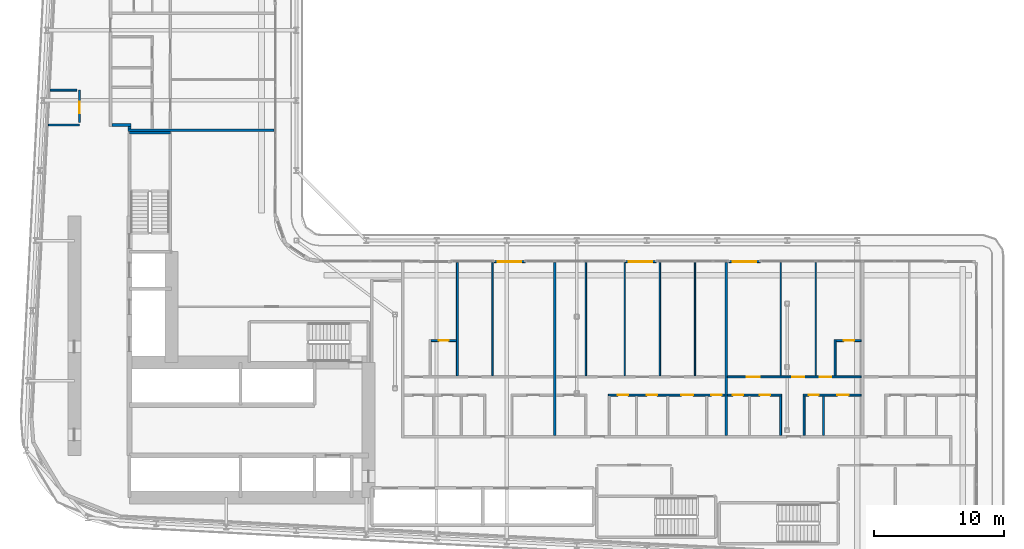
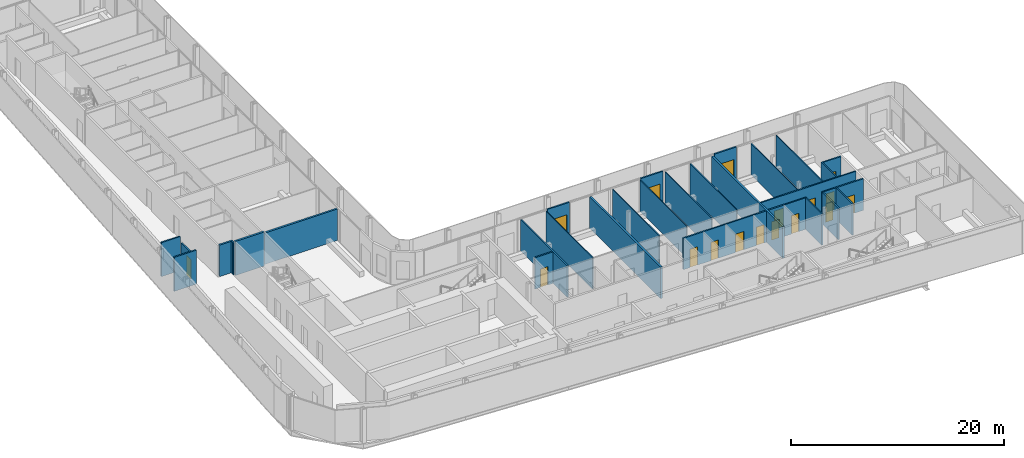
# One storey, part 16 of 28: 30 walls, 17 doors, 17 openings.
"""IFC4 building model written with IfcOpenShell, lengths in metres."""

import ifcopenshell
import ifcopenshell.guid

model = None  # the IFC model being written
_history = None  # IfcOwnerHistory: only IFC2X3 demands one
_inside = {}  # id of a spatial element -> (the spatial element, [elements in it])
_under = {}  # id of a project, library or spatial element -> (it, [spatial elements below it])
_declared = {}  # id of a project -> (the project, [libraries it declares])
_typed = {}  # id of a type object -> (the type object, [elements of that type])
_made_of = {}  # id of a material, layer set ... -> (it, [elements and type objects made of it])


def new_model(schema):
    """Start an empty IFC model of exactly this schema.

    Asked for "IFC4X3", IfcOpenShell would pick the latest addendum, in which some entities
    have other attributes; the version numbers below select the first issue.
    IFC2X3 requires an IfcOwnerHistory on every rooted entity: one is made here for all.
    """
    global model, _history
    if schema == "IFC4X3":
        model = ifcopenshell.file(schema_version=(4, 3, 0, 0))
    else:
        model = ifcopenshell.file(schema=schema)
    _inside.clear()
    _under.clear()
    _declared.clear()
    _typed.clear()
    _made_of.clear()
    _history = None
    if model.schema == "IFC2X3":
        org = make("IfcOrganization", Name="unknown")
        user = make(
            "IfcPersonAndOrganization",
            ThePerson=make("IfcPerson", FamilyName="unknown"),
            TheOrganization=org,
        )
        app = make(
            "IfcApplication",
            ApplicationDeveloper=org,
            Version="unknown",
            ApplicationFullName="unknown",
            ApplicationIdentifier="unknown",
        )
        _history = make(
            "IfcOwnerHistory",
            OwningUser=user,
            OwningApplication=app,
            ChangeAction="ADDED",
            CreationDate=0,
        )
    return model


def make(cls, **values):
    """One entity of the class cls with the attributes given. An attribute that is None is left unset."""
    return model.create_entity(
        cls, **{name: value for name, value in values.items() if value is not None}
    )


def rooted(cls, **values):
    """An entity with a GlobalId (a new one), such as an element, a storey or a relation."""
    return make(cls, GlobalId=ifcopenshell.guid.new(), OwnerHistory=_history, **values)


def si_unit(unit_type, name, prefix=None):
    """IfcSIUnit, for example si_unit("LENGTHUNIT", "METRE", prefix="MILLI")."""
    return make("IfcSIUnit", UnitType=unit_type, Prefix=prefix, Name=name)


def assignment(units):
    """IfcUnitAssignment: the units of a project."""
    return None if units is None else make("IfcUnitAssignment", Units=units)


def point(xyz):
    """IfcCartesianPoint."""
    return None if xyz is None else make("IfcCartesianPoint", Coordinates=xyz)


def direction(xyz):
    """IfcDirection."""
    return None if xyz is None else make("IfcDirection", DirectionRatios=xyz)


def frame(location, z_axis=None, x_axis=None):
    """IfcAxis2Placement3D, a coordinate frame: its origin and axes. An axis left out is left unset."""
    return make(
        "IfcAxis2Placement3D",
        Location=point(location),
        Axis=direction(z_axis),
        RefDirection=direction(x_axis),
    )


def frame_2d(location, x_axis=None):
    """IfcAxis2Placement2D, a coordinate frame in the plane: its origin and x axis."""
    return make(
        "IfcAxis2Placement2D", Location=point(location), RefDirection=direction(x_axis)
    )


def origin():
    """The frame at (0, 0, 0) with its axes left unset."""
    return frame((0.0, 0.0, 0.0))


def place(relative_to, where):
    """IfcLocalPlacement: puts the frame where relative to a parent placement (None: the world)."""
    return make(
        "IfcLocalPlacement", PlacementRelTo=relative_to, RelativePlacement=where
    )


def context(
    kind, dimensions, precision=None, world=None, true_north=None, identifier=None
):
    """IfcGeometricRepresentationContext, for example the 3D "Model" context."""
    return make(
        "IfcGeometricRepresentationContext",
        ContextIdentifier=identifier,
        ContextType=kind,
        CoordinateSpaceDimension=dimensions,
        Precision=precision,
        WorldCoordinateSystem=world,
        TrueNorth=true_north,
    )


def subcontext(parent, identifier, kind, view, scale=None):
    """IfcGeometricRepresentationSubContext, for example "Body" below "Model"."""
    return make(
        "IfcGeometricRepresentationSubContext",
        ContextIdentifier=identifier,
        ContextType=kind,
        ParentContext=parent,
        TargetScale=scale,
        TargetView=view,
    )


def project(units=None, contexts=None):
    """IfcProject with its units and contexts."""
    return rooted(
        "IfcProject",
        Name="project",
        RepresentationContexts=contexts,
        UnitsInContext=assignment(units),
    )


def spatial(cls, under=None, at=None, **own):
    """A site, building, storey or space (cls), placed at a placement, below another one or the project."""
    s = rooted(cls, ObjectPlacement=at, **own)
    if under is not None:
        _under.setdefault(under.id(), (under, []))[1].append(s)
    return s


def profile(cls, at=None, kind="AREA", **sizes):
    """A parametric profile (cls). Its sizes go by their IFC names, for example OverallWidth=200.0."""
    return make(cls, ProfileType=kind, Position=at, **sizes)


def rectangle(**sizes):
    """IfcRectangleProfileDef."""
    return profile("IfcRectangleProfileDef", **sizes)


def extrude(swept, where, along, depth):
    """IfcExtrudedAreaSolid: the profile swept, set in the frame where, extruded along a direction by depth."""
    return make(
        "IfcExtrudedAreaSolid",
        SweptArea=swept,
        Position=where,
        ExtrudedDirection=direction(along),
        Depth=depth,
    )


def shape(context_of_items, identifier, shape_type, items):
    """IfcShapeRepresentation: the items that make up one representation, for example the "Body"."""
    return make(
        "IfcShapeRepresentation",
        ContextOfItems=context_of_items,
        RepresentationIdentifier=identifier,
        RepresentationType=shape_type,
        Items=items,
    )


def source(mapping_origin, context_of_items, identifier, shape_type, items):
    """IfcRepresentationMap: a shape defined once, which mapped items show again and again."""
    return make(
        "IfcRepresentationMap",
        MappingOrigin=mapping_origin,
        MappedRepresentation=shape(context_of_items, identifier, shape_type, items),
    )


def transform(
    local_origin,
    x_axis=None,
    y_axis=None,
    z_axis=None,
    scale=None,
    scale2=None,
    scale3=None,
    uniform=True,
):
    """IfcCartesianTransformationOperator3D, or its non-uniform kind. x_axis, y_axis, z_axis: its Axis1, 2, 3."""
    if uniform:
        return make(
            "IfcCartesianTransformationOperator3D",
            Axis1=direction(x_axis),
            Axis2=direction(y_axis),
            LocalOrigin=point(local_origin),
            Scale=scale,
            Axis3=direction(z_axis),
        )
    return make(
        "IfcCartesianTransformationOperator3DnonUniform",
        Axis1=direction(x_axis),
        Axis2=direction(y_axis),
        LocalOrigin=point(local_origin),
        Scale=scale,
        Axis3=direction(z_axis),
        Scale2=scale2,
        Scale3=scale3,
    )


def mapped(mapping_source, mapping_target):
    """IfcMappedItem: shows the shape of a source again, moved by a transform."""
    return make(
        "IfcMappedItem", MappingSource=mapping_source, MappingTarget=mapping_target
    )


def material(Name=None, Category=None):
    """IfcMaterial."""
    return make("IfcMaterial", Name=Name, Category=Category)


def layer(
    of_material, thickness, ventilated=None, Name=None, Category=None, Priority=None
):
    """IfcMaterialLayer: one layer of a wall or slab, of a material (None: an air gap)."""
    return make(
        "IfcMaterialLayer",
        Material=of_material,
        LayerThickness=thickness,
        IsVentilated=ventilated,
        Name=Name,
        Category=Category,
        Priority=Priority,
    )


def layer_set(layers, Name=None):
    """IfcMaterialLayerSet."""
    return make("IfcMaterialLayerSet", MaterialLayers=layers, LayerSetName=Name)


def made_of(thing, what):
    """Note that an element or type object is made of a material, layer set ...; save() writes the relation."""
    if what is not None:
        _made_of.setdefault(what.id(), (what, []))[1].append(thing)
    return thing


def type_object(cls, material=None, **own):
    """A type object (cls), such as IfcWallType, which elements share."""
    return made_of(rooted(cls, **own), material)


def element(
    cls,
    number,
    at=None,
    inside=None,
    cuts=None,
    type_object=None,
    material=None,
    context=None,
    identifier="Body",
    shape_type=None,
    held_by="IfcProductDefinitionShape",
    body=None,
    shapes=None,
    **own,
):
    """One element of the class cls, such as IfcWall. Its Tag is "e" and its number.

    at: its placement. inside: the storey or other place that contains it. cuts: it is an
    opening in that element (IfcRelVoidsElement). A single representation is given by context,
    identifier, shape_type and body (its items); several are given by shapes. held_by: the class
    of the entity that holds the representations. save() writes the other relations.
    """
    e = rooted(cls, Tag="e%d" % number, ObjectPlacement=at, **own)
    if body is not None:
        shapes = [shape(context, identifier, shape_type, body)]
    if shapes is not None:
        e.Representation = make(held_by, Representations=shapes)
    if inside is not None:
        _inside.setdefault(inside.id(), (inside, []))[1].append(e)
    if cuts is not None:
        rooted(
            "IfcRelVoidsElement", RelatingBuildingElement=cuts, RelatedOpeningElement=e
        )
    if type_object is not None:
        _typed.setdefault(type_object.id(), (type_object, []))[1].append(e)
    return made_of(e, material)


def fill(opening, filler):
    """IfcRelFillsElement: the door or window that sits in an opening."""
    return rooted(
        "IfcRelFillsElement",
        RelatingOpeningElement=opening,
        RelatedBuildingElement=filler,
    )


def aggregate(whole, parts):
    """IfcRelAggregates: a whole, such as a stair, and the parts it consists of."""
    return rooted("IfcRelAggregates", RelatingObject=whole, RelatedObjects=parts)


def save(model, path):
    """Write the relations noted so far, then the file.

    IfcRelAggregates (storeys below a building ...), IfcRelContainedInSpatialStructure (elements
    in a storey), IfcRelDefinesByType, IfcRelAssociatesMaterial and IfcRelDeclares: one each for
    every whole, place, type object, material and project.
    """
    for whole, parts in _under.values():
        aggregate(whole, parts)
    for where, things in _inside.values():
        rooted(
            "IfcRelContainedInSpatialStructure",
            RelatedElements=things,
            RelatingStructure=where,
        )
    for kind, things in _typed.values():
        rooted("IfcRelDefinesByType", RelatedObjects=things, RelatingType=kind)
    for what, things in _made_of.values():
        rooted("IfcRelAssociatesMaterial", RelatedObjects=things, RelatingMaterial=what)
    for by, libraries in _declared.values():
        rooted("IfcRelDeclares", RelatingContext=by, RelatedDefinitions=libraries)
    model.write(path)


model = new_model("IFC4")

# Units and contexts
model_context = context("Model", 3, precision=1e-05, world=origin(), true_north=direction((0.0, 1.0)))
body_context = subcontext(model_context, "Body", "Model", "MODEL_VIEW")
ifc_project = project(units=[si_unit("LENGTHUNIT", "METRE"), si_unit("AREAUNIT", "SQUARE_METRE"), si_unit("VOLUMEUNIT", "CUBIC_METRE"), si_unit("PLANEANGLEUNIT", "RADIAN"), si_unit("MASSUNIT", "GRAM", prefix="KILO")], contexts=[model_context])

# Site, building, storey
site_placement = place(None, origin())
site = spatial("IfcSite", under=ifc_project, at=site_placement, CompositionType="ELEMENT")
building_placement = place(site_placement, origin())
building = spatial("IfcBuilding", under=site, at=building_placement, Name="Kheshtan School and Residences Tower", CompositionType="ELEMENT")
storey_placement = place(building_placement, frame((0.0, 0.0, 73.39990234375)))
storey = spatial("IfcBuildingStorey", under=building, at=storey_placement, Name="L17", CompositionType="ELEMENT", Elevation=73.39990234375)

# Walls
ifc_material_1 = material(Name="Gypsum board on steel studs with fire boards", Category="steel")
ifc_layer_1 = layer(ifc_material_1, 0.199951171875)
ifc_layer_set_1 = layer_set([ifc_layer_1], Name="Corridor wall 200")
wall_type_1 = type_object("IfcWallType", Name="Corridor wall 200", PredefinedType="PARTITIONING", material=ifc_layer_set_1)
wall_1_placement = place(storey_placement, frame((33.39990234375, 54.5, 0.0), z_axis=(0.0, 0.0, 1.0), x_axis=(1.0, 0.0, 0.0)))
element("IfcWall", 1, at=wall_1_placement, inside=storey, type_object=wall_type_1, Name="Partition L17-006", PredefinedType="PARTITIONING", context=body_context, shape_type="SweptSolid", body=[
    extrude(rectangle(XDim=1.4501953125, YDim=0.199951171875, at=frame_2d((0.72509765625, 0.0))), origin(), (0.0, 0.0, 1.0), 3.60009765625),
])
wall_2_placement = place(storey_placement, frame((34.75, 54.199951171875, 0.0), z_axis=(0.0, 0.0, 1.0), x_axis=(0.0, 1.0, 0.0)))
element("IfcWall", 2, at=wall_2_placement, inside=storey, type_object=wall_type_1, Name="Partition L17-021", PredefinedType="PARTITIONING", context=body_context, shape_type="SweptSolid", body=[
    extrude(rectangle(XDim=0.199951171875, YDim=0.199951171875, at=frame_2d((0.10009765625, 0.0))), origin(), (0.0, 0.0, 1.0), 3.60009765625),
])

# Wall, opening, door
ifc_material_2 = material(Name="Aluminium frame wall with insulated infill", Category="aluminium")
ifc_layer_2 = layer(ifc_material_2, 0.14990234375)
ifc_layer_set_2 = layer_set([ifc_layer_2], Name="Glazing frame wall 150")
wall_type_2 = type_object("IfcWallType", Name="Glazing frame wall 150", PredefinedType="SOLIDWALL", material=ifc_layer_set_2)
wall_3_placement = place(storey_placement, frame((62.823974609375, 43.97509765625, 0.0), z_axis=(0.0, 0.0, 1.0), x_axis=(1.0, 0.0, 0.0)))
wall_3 = element("IfcWall", 3, at=wall_3_placement, inside=storey, type_object=wall_type_2, Name="Balcony door wall L17 12.2", PredefinedType="SOLIDWALL", context=body_context, shape_type="SweptSolid", body=[
    extrude(rectangle(XDim=2.400146484375, YDim=0.14990234375, at=frame_2d((1.2001953125, 0.0))), origin(), (0.0, 0.0, 1.0), 3.75),
])
opening_1_placement = place(wall_3_placement, frame((0.300048828125, 0.0, 0.0)))
opening_1 = element("IfcOpeningElement", 4, at=opening_1_placement, cuts=wall_3, Name="Opening BD", PredefinedType="OPENING", context=body_context, shape_type="SweptSolid", body=[
    extrude(rectangle(XDim=1.800048828125, YDim=2.39990234375, at=frame_2d((0.89990234375, 1.199951171875))), frame((0.0, 0.0849609375, 0.0), z_axis=(0.0, -1.0, 0.0), x_axis=(1.0, 0.0, 0.0)), (0.0, 0.0, 1.0), 0.169921875),
])
ifc_material_3 = material(Name="Clear low-e glass in thermally broken aluminium frame", Category="aluminium")
door_type_1 = type_object("IfcDoorType", Name="Balcony sliding door", OperationType="SLIDING_TO_LEFT", PredefinedType="DOOR", material=ifc_material_3)
shared_shape_1 = source(origin(), body_context, "Body", "SweptSolid", [
    extrude(rectangle(XDim=1.800048828125, YDim=2.39990234375, at=frame_2d((0.89990234375, 1.199951171875))), frame((0.0, 0.02490234375, 0.0), z_axis=(0.0, -1.0, 0.0), x_axis=(1.0, 0.0, 0.0)), (0.0, 0.0, 1.0), 0.050048828125),
])
door_1_placement = place(opening_1_placement, origin())
door_1 = element("IfcDoor", 5, at=door_1_placement, inside=storey, type_object=door_type_1, Name="Balcony door L17 12.2", OperationType="SLIDING_TO_LEFT", OverallHeight=2.39990234375, OverallWidth=1.800048828125, PredefinedType="DOOR", context=body_context, shape_type="MappedRepresentation", body=[
    mapped(shared_shape_1, transform((0.0, 0.0, 0.0), x_axis=(1.0, 0.0, 0.0), y_axis=(0.0, 1.0, 0.0), z_axis=(0.0, 0.0, 1.0), scale=1.0)),
])
fill(opening_1, door_1)

wall_4_placement = place(storey_placement, frame((72.91796875, 43.97509765625, 0.0), z_axis=(0.0, 0.0, 1.0), x_axis=(1.0, 0.0, 0.0)))
wall_4 = element("IfcWall", 6, at=wall_4_placement, inside=storey, type_object=wall_type_2, Name="Balcony door wall L17 12.3", PredefinedType="SOLIDWALL", context=body_context, shape_type="SweptSolid", body=[
    extrude(rectangle(XDim=2.400146484375, YDim=0.14990234375, at=frame_2d((1.2001953125, 0.0))), origin(), (0.0, 0.0, 1.0), 3.75),
])
opening_2_placement = place(wall_4_placement, frame((0.300048828125, 0.0, 0.0)))
opening_2 = element("IfcOpeningElement", 7, at=opening_2_placement, cuts=wall_4, Name="Opening BD", PredefinedType="OPENING", context=body_context, shape_type="SweptSolid", body=[
    extrude(rectangle(XDim=1.800048828125, YDim=2.39990234375, at=frame_2d((0.89990234375, 1.199951171875))), frame((0.0, 0.0849609375, 0.0), z_axis=(0.0, -1.0, 0.0), x_axis=(1.0, 0.0, 0.0)), (0.0, 0.0, 1.0), 0.169921875),
])
door_2_placement = place(opening_2_placement, origin())
door_2 = element("IfcDoor", 8, at=door_2_placement, inside=storey, type_object=door_type_1, Name="Balcony door L17 12.3", OperationType="SLIDING_TO_LEFT", OverallHeight=2.39990234375, OverallWidth=1.800048828125, PredefinedType="DOOR", context=body_context, shape_type="MappedRepresentation", body=[
    mapped(shared_shape_1, transform((0.0, 0.0, 0.0), x_axis=(1.0, 0.0, 0.0), y_axis=(0.0, 1.0, 0.0), z_axis=(0.0, 0.0, 1.0), scale=1.0)),
])
fill(opening_2, door_2)

wall_5_placement = place(storey_placement, frame((80.912109375, 43.97509765625, 0.0), z_axis=(0.0, 0.0, 1.0), x_axis=(1.0, 0.0, 0.0)))
wall_5 = element("IfcWall", 9, at=wall_5_placement, inside=storey, type_object=wall_type_2, Name="Balcony door wall L17 12.4", PredefinedType="SOLIDWALL", context=body_context, shape_type="SweptSolid", body=[
    extrude(rectangle(XDim=2.39990234375, YDim=0.14990234375, at=frame_2d((1.199951171875, 0.0))), origin(), (0.0, 0.0, 1.0), 3.75),
])
opening_3_placement = place(wall_5_placement, frame((0.300048828125, 0.0, 0.0)))
opening_3 = element("IfcOpeningElement", 10, at=opening_3_placement, cuts=wall_5, Name="Opening BD", PredefinedType="OPENING", context=body_context, shape_type="SweptSolid", body=[
    extrude(rectangle(XDim=1.800048828125, YDim=2.39990234375, at=frame_2d((0.89990234375, 1.199951171875))), frame((0.0, 0.0849609375, 0.0), z_axis=(0.0, -1.0, 0.0), x_axis=(1.0, 0.0, 0.0)), (0.0, 0.0, 1.0), 0.169921875),
])
door_3_placement = place(opening_3_placement, origin())
door_3 = element("IfcDoor", 11, at=door_3_placement, inside=storey, type_object=door_type_1, Name="Balcony door L17 12.4", OperationType="SLIDING_TO_LEFT", OverallHeight=2.39990234375, OverallWidth=1.800048828125, PredefinedType="DOOR", context=body_context, shape_type="MappedRepresentation", body=[
    mapped(shared_shape_1, transform((0.0, 0.0, 0.0), x_axis=(1.0, 0.0, 0.0), y_axis=(0.0, 1.0, 0.0), z_axis=(0.0, 0.0, 1.0), scale=1.0)),
])
fill(opening_3, door_3)

# Walls
ifc_material_4 = material(Name="Gypsum board on steel studs", Category="steel")
ifc_layer_3 = layer(ifc_material_4, 0.10009765625)
ifc_layer_set_3 = layer_set([ifc_layer_3], Name="Gypsum partition 100")
wall_type_3 = type_object("IfcWallType", Name="Gypsum partition 100", PredefinedType="PARTITIONING", material=ifc_layer_set_3)
for number, where, z_axis, x_axis, name in (
    (12, (62.699951171875, 35.175048828125, 0.0), (0.0, 0.0, 1.0), (0.0, 1.0, 0.0), "Partition L17-056"),
    (13, (69.89990234375, 35.175048828125, 0.0), (0.0, 0.0, 1.0), (0.0, 1.0, 0.0), "Partition L17-063"),
    (14, (72.89990234375, 35.175048828125, 0.0), (0.0, 0.0, 1.0), (0.0, 1.0, 0.0), "Partition L17-066"),
    (15, (75.60009765625, 35.175048828125, 0.0), (0.0, 0.0, 1.0), (0.0, 1.0, 0.0), "Partition L17-068"),
    (16, (78.300048828125, 35.175048828125, 0.0), (0.0, 0.0, 1.0), (0.0, 1.0, 0.0), "Partition L17-070"),
    (17, (84.89990234375, 35.175048828125, 0.0), (0.0, 0.0, 1.0), (0.0, 1.0, 0.0), "Partition L17-077"),
    (18, (87.60009765625, 35.175048828125, 0.0), (0.0, 0.0, 1.0), (0.0, 1.0, 0.0), "Partition L17-080"),
):
    element("IfcWall", number, at=place(storey_placement, frame(where, z_axis=z_axis, x_axis=x_axis)), inside=storey, type_object=wall_type_3, Name=name, PredefinedType="PARTITIONING", context=body_context, shape_type="SweptSolid", body=[
        extrude(rectangle(XDim=8.724853515625, YDim=0.10009765625, at=frame_2d((4.3623046875, 0.0))), origin(), (0.0, 0.0, 1.0), 3.60009765625),
    ])
ifc_material_5 = material(Name="Fire-board shaft wall system")
ifc_layer_4 = layer(ifc_material_5, 0.14990234375)
ifc_layer_set_4 = layer_set([ifc_layer_4], Name="Service room wall 150")
wall_type_4 = type_object("IfcWallType", Name="Service room wall 150", PredefinedType="PARTITIONING", material=ifc_layer_set_4)
wall_6_placement = place(storey_placement, frame((28.508056640625, 54.5, 0.0), z_axis=(0.0, 0.0, 1.0), x_axis=(1.0, 0.0, 0.0)))
element("IfcWall", 19, at=wall_6_placement, inside=storey, type_object=wall_type_4, Name="Service room wall", PredefinedType="PARTITIONING", context=body_context, shape_type="SweptSolid", body=[
    extrude(rectangle(XDim=2.391845703125, YDim=0.14990234375, at=frame_2d((1.19580078125, 0.0))), origin(), (0.0, 0.0, 1.0), 3.900146484375),
])

# Wall, opening, door
wall_7_placement = place(storey_placement, frame((30.89990234375, 54.695068359375, 0.0), z_axis=(0.0, 0.0, 1.0), x_axis=(0.0, 1.0, 0.0)))
wall_7 = element("IfcWall", 20, at=wall_7_placement, inside=storey, type_object=wall_type_4, Name="Service room wall", PredefinedType="PARTITIONING", context=body_context, shape_type="SweptSolid", body=[
    extrude(rectangle(XDim=2.48681640625, YDim=0.14990234375, at=frame_2d((1.243408203125, 0.0))), origin(), (0.0, 0.0, 1.0), 3.072021484375),
])
opening_4_placement = place(wall_7_placement, frame((0.696044921875, 0.0, 0.0)))
opening_4 = element("IfcOpeningElement", 21, at=opening_4_placement, cuts=wall_7, Name="Opening SR90", PredefinedType="OPENING", context=body_context, shape_type="SweptSolid", body=[
    extrude(rectangle(XDim=0.89990234375, YDim=2.199951171875, at=frame_2d((0.449951171875, 1.10009765625))), frame((0.0, 0.0849609375, 0.0), z_axis=(0.0, -1.0, 0.0), x_axis=(1.0, 0.0, 0.0)), (0.0, 0.0, 1.0), 0.169921875),
])
ifc_material_6 = material(Name="Steel door leaf, galvanised", Category="steel")
door_type_2 = type_object("IfcDoorType", Name="Service room door 900 steel 90 min", OperationType="SINGLE_SWING_LEFT", PredefinedType="DOOR", material=ifc_material_6)
shared_shape_2 = source(origin(), body_context, "Body", "SweptSolid", [
    extrude(rectangle(XDim=0.89990234375, YDim=2.199951171875, at=frame_2d((0.449951171875, 1.10009765625))), frame((0.0, 0.02490234375, 0.0), z_axis=(0.0, -1.0, 0.0), x_axis=(1.0, 0.0, 0.0)), (0.0, 0.0, 1.0), 0.050048828125),
])
door_4_placement = place(opening_4_placement, origin())
door_4 = element("IfcDoor", 22, at=door_4_placement, inside=storey, type_object=door_type_2, Name="Service room door", OperationType="SINGLE_SWING_LEFT", OverallHeight=2.199951171875, OverallWidth=0.89990234375, PredefinedType="DOOR", context=body_context, shape_type="MappedRepresentation", body=[
    mapped(shared_shape_2, transform((0.0, 0.0, 0.0), x_axis=(1.0, 0.0, 0.0), y_axis=(0.0, 1.0, 0.0), z_axis=(0.0, 0.0, 1.0), scale=1.0)),
])
fill(opening_4, door_4)

# Walls
wall_8_placement = place(storey_placement, frame((28.64892578125, 57.181884765625, 0.0), z_axis=(0.0, 0.0, 1.0), x_axis=(1.0, 0.0, 0.0)))
element("IfcWall", 23, at=wall_8_placement, inside=storey, type_object=wall_type_4, Name="Service room wall", PredefinedType="PARTITIONING", context=body_context, shape_type="SweptSolid", body=[
    extrude(rectangle(XDim=2.05615234375, YDim=0.14990234375, at=frame_2d((1.028076171875, 0.0))), origin(), (0.0, 0.0, 1.0), 3.900146484375),
])
ifc_material_7 = material(Name="Concrete C40/50", Category="concrete")
ifc_layer_5 = layer(ifc_material_7, 0.199951171875)
ifc_layer_set_5 = layer_set([ifc_layer_5], Name="Stair enclosure wall 200 Concrete C40/50")
wall_type_5 = type_object("IfcWallType", Name="Stair enclosure wall 200 Concrete C40/50", PredefinedType="SHEAR", material=ifc_layer_set_5)
wall_9_placement = place(storey_placement, frame((34.75, 53.909912109375, 0.0), z_axis=(0.0, 0.0, 1.0), x_axis=(1.0, 0.0, 0.0)))
element("IfcWall", 24, at=wall_9_placement, inside=storey, type_object=wall_type_5, Name="Stair enclosure wall ST2", PredefinedType="SHEAR", context=body_context, shape_type="SweptSolid", body=[
    extrude(rectangle(XDim=3.14990234375, YDim=0.199951171875, at=frame_2d((1.574951171875, 0.0))), origin(), (0.0, 0.0, 1.0), 3.900146484375),
])
ifc_material_8 = material(Name="Twin gypsum board on steel studs with mineral wool", Category="steel")
ifc_layer_6 = layer(ifc_material_8, 0.199951171875)
ifc_layer_set_6 = layer_set([ifc_layer_6], Name="Unit demising wall 200")
wall_type_6 = type_object("IfcWallType", Name="Unit demising wall 200", PredefinedType="PARTITIONING", material=ifc_layer_set_6)
wall_10_placement = place(storey_placement, frame((34.64990234375, 54.10009765625, 0.0), z_axis=(0.0, 0.0, 1.0), x_axis=(1.0, 0.0, 0.0)))
element("IfcWall", 25, at=wall_10_placement, inside=storey, type_object=wall_type_6, Name="Partition L17-020", PredefinedType="PARTITIONING", context=body_context, shape_type="SweptSolid", body=[
    extrude(rectangle(XDim=11.25, YDim=0.199951171875, at=frame_2d((5.625, 0.0))), origin(), (0.0, 0.0, 1.0), 3.60009765625),
])
for number, where, z_axis, x_axis, name in (
    (26, (67.5, 30.60009765625, 0.0), (0.0, 0.0, 1.0), (0.0, 1.0, 0.0), "Partition L17-059"),
    (27, (80.699951171875, 30.60009765625, 0.0), (0.0, 0.0, 1.0), (0.0, 1.0, 0.0), "Partition L17-072"),
):
    element("IfcWall", number, at=place(storey_placement, frame(where, z_axis=z_axis, x_axis=x_axis)), inside=storey, type_object=wall_type_6, Name=name, PredefinedType="PARTITIONING", context=body_context, shape_type="SweptSolid", body=[
        extrude(rectangle(XDim=13.2998046875, YDim=0.199951171875, at=frame_2d((6.64990234375, 0.0))), origin(), (0.0, 0.0, 1.0), 3.60009765625),
    ])

# Wall, opening, door
ifc_material_9 = material(Name="Moisture-resistant gypsum board on steel studs", Category="steel")
ifc_layer_7 = layer(ifc_material_9, 0.14990234375)
ifc_layer_set_7 = layer_set([ifc_layer_7], Name="Wet-room partition 150")
wall_type_7 = type_object("IfcWallType", Name="Wet-room partition 150", PredefinedType="PARTITIONING", material=ifc_layer_set_7)
wall_11_placement = place(storey_placement, frame((57.97509765625, 37.89990234375, 0.0), z_axis=(0.0, 0.0, 1.0), x_axis=(1.0, 0.0, 0.0)))
wall_11 = element("IfcWall", 28, at=wall_11_placement, inside=storey, type_object=wall_type_7, Name="Partition L17-051", PredefinedType="PARTITIONING", context=body_context, shape_type="SweptSolid", body=[
    extrude(rectangle(XDim=1.949951171875, YDim=0.14990234375, at=frame_2d((0.97509765625, 0.0))), origin(), (0.0, 0.0, 1.0), 3.60009765625),
])
opening_5_placement = place(wall_11_placement, frame((0.574951171875, 0.0, 0.0)))
opening_5 = element("IfcOpeningElement", 29, at=opening_5_placement, cuts=wall_11, Name="Opening D17-003", PredefinedType="OPENING", context=body_context, shape_type="SweptSolid", body=[
    extrude(rectangle(XDim=0.800048828125, YDim=2.10009765625, at=frame_2d((0.39990234375, 1.050048828125))), frame((0.0, 0.0849609375, 0.0), z_axis=(0.0, -1.0, 0.0), x_axis=(1.0, 0.0, 0.0)), (0.0, 0.0, 1.0), 0.169921875),
])
ifc_material_10 = material(Name="Veneered timber door leaf", Category="wood")
door_type_3 = type_object("IfcDoorType", Name="Door 800 x 2100", OperationType="SINGLE_SWING_LEFT", PredefinedType="DOOR", material=ifc_material_10)
shared_shape_3 = source(origin(), body_context, "Body", "SweptSolid", [
    extrude(rectangle(XDim=0.800048828125, YDim=2.10009765625, at=frame_2d((0.39990234375, 1.050048828125))), frame((0.0, 0.02490234375, 0.0), z_axis=(0.0, -1.0, 0.0), x_axis=(1.0, 0.0, 0.0)), (0.0, 0.0, 1.0), 0.050048828125),
])
door_5_placement = place(opening_5_placement, origin())
door_5 = element("IfcDoor", 30, at=door_5_placement, inside=storey, type_object=door_type_3, Name="Door D17-003", OperationType="SINGLE_SWING_LEFT", OverallHeight=2.10009765625, OverallWidth=0.800048828125, PredefinedType="DOOR", context=body_context, shape_type="MappedRepresentation", body=[
    mapped(shared_shape_3, transform((0.0, 0.0, 0.0), x_axis=(1.0, 0.0, 0.0), y_axis=(0.0, 1.0, 0.0), z_axis=(0.0, 0.0, 1.0), scale=1.0)),
])
fill(opening_5, door_5)

# Wall
wall_12_placement = place(storey_placement, frame((60.0, 35.175048828125, 0.0), z_axis=(0.0, 0.0, 1.0), x_axis=(0.0, 1.0, 0.0)))
element("IfcWall", 31, at=wall_12_placement, inside=storey, type_object=wall_type_7, Name="Partition L17-053", PredefinedType="PARTITIONING", context=body_context, shape_type="SweptSolid", body=[
    extrude(rectangle(XDim=8.724853515625, YDim=0.14990234375, at=frame_2d((4.3623046875, 0.0))), origin(), (0.0, 0.0, 1.0), 3.60009765625),
])

# Wall, openings, doors
wall_13_placement = place(storey_placement, frame((71.625, 33.699951171875, 0.0), z_axis=(0.0, 0.0, 1.0), x_axis=(1.0, 0.0, 0.0)))
wall_13 = element("IfcWall", 32, at=wall_13_placement, inside=storey, type_object=wall_type_7, Name="Partition L17-064", PredefinedType="PARTITIONING", context=body_context, shape_type="SweptSolid", body=[
    extrude(rectangle(XDim=8.97509765625, YDim=0.14990234375, at=frame_2d((4.487548828125, 0.0))), origin(), (0.0, 0.0, 1.0), 3.60009765625),
])
opening_6_placement = place(wall_13_placement, frame((2.97509765625, 0.0, 0.0)))
opening_6 = element("IfcOpeningElement", 33, at=opening_6_placement, cuts=wall_13, Name="Opening D17-011", PredefinedType="OPENING", context=body_context, shape_type="SweptSolid", body=[
    extrude(rectangle(XDim=0.800048828125, YDim=2.10009765625, at=frame_2d((0.39990234375, 1.050048828125))), frame((0.0, 0.0849609375, 0.0), z_axis=(0.0, -1.0, 0.0), x_axis=(1.0, 0.0, 0.0)), (0.0, 0.0, 1.0), 0.169921875),
])
opening_7_placement = place(wall_13_placement, frame((5.625, 0.0, 0.0)))
opening_7 = element("IfcOpeningElement", 34, at=opening_7_placement, cuts=wall_13, Name="Opening D17-015", PredefinedType="OPENING", context=body_context, shape_type="SweptSolid", body=[
    extrude(rectangle(XDim=0.89990234375, YDim=2.10009765625, at=frame_2d((0.449951171875, 1.050048828125))), frame((0.0, 0.0849609375, 0.0), z_axis=(0.0, -1.0, 0.0), x_axis=(1.0, 0.0, 0.0)), (0.0, 0.0, 1.0), 0.169921875),
])
opening_8_placement = place(wall_13_placement, frame((0.72509765625, 0.0, 0.0)))
opening_8 = element("IfcOpeningElement", 35, at=opening_8_placement, cuts=wall_13, Name="Opening D17-016", PredefinedType="OPENING", context=body_context, shape_type="SweptSolid", body=[
    extrude(rectangle(XDim=0.800048828125, YDim=2.10009765625, at=frame_2d((0.39990234375, 1.050048828125))), frame((0.0, 0.0849609375, 0.0), z_axis=(0.0, -1.0, 0.0), x_axis=(1.0, 0.0, 0.0)), (0.0, 0.0, 1.0), 0.169921875),
])
opening_9_placement = place(wall_13_placement, frame((7.925048828125, 0.0, 0.0)))
opening_9 = element("IfcOpeningElement", 36, at=opening_9_placement, cuts=wall_13, Name="Opening D17-020", PredefinedType="OPENING", context=body_context, shape_type="SweptSolid", body=[
    extrude(rectangle(XDim=0.800048828125, YDim=2.10009765625, at=frame_2d((0.39990234375, 1.050048828125))), frame((0.0, 0.0849609375, 0.0), z_axis=(0.0, -1.0, 0.0), x_axis=(1.0, 0.0, 0.0)), (0.0, 0.0, 1.0), 0.169921875),
])
door_6_placement = place(opening_6_placement, origin())
door_6 = element("IfcDoor", 37, at=door_6_placement, inside=storey, type_object=door_type_3, Name="Door D17-011", OperationType="SINGLE_SWING_LEFT", OverallHeight=2.10009765625, OverallWidth=0.800048828125, PredefinedType="DOOR", context=body_context, shape_type="MappedRepresentation", body=[
    mapped(shared_shape_3, transform((0.0, 0.0, 0.0), x_axis=(1.0, 0.0, 0.0), y_axis=(0.0, 1.0, 0.0), z_axis=(0.0, 0.0, 1.0), scale=1.0)),
])
fill(opening_6, door_6)
door_7_placement = place(opening_8_placement, origin())
door_7 = element("IfcDoor", 38, at=door_7_placement, inside=storey, type_object=door_type_3, Name="Door D17-016", OperationType="SINGLE_SWING_RIGHT", OverallHeight=2.10009765625, OverallWidth=0.800048828125, PredefinedType="DOOR", context=body_context, shape_type="MappedRepresentation", body=[
    mapped(shared_shape_3, transform((0.0, 0.0, 0.0), x_axis=(1.0, 0.0, 0.0), y_axis=(0.0, 1.0, 0.0), z_axis=(0.0, 0.0, 1.0), scale=1.0)),
])
fill(opening_8, door_7)
door_8_placement = place(opening_9_placement, origin())
door_8 = element("IfcDoor", 39, at=door_8_placement, inside=storey, type_object=door_type_3, Name="Door D17-020", OperationType="SINGLE_SWING_RIGHT", OverallHeight=2.10009765625, OverallWidth=0.800048828125, PredefinedType="DOOR", context=body_context, shape_type="MappedRepresentation", body=[
    mapped(shared_shape_3, transform((0.0, 0.0, 0.0), x_axis=(1.0, 0.0, 0.0), y_axis=(0.0, 1.0, 0.0), z_axis=(0.0, 0.0, 1.0), scale=1.0)),
])
fill(opening_9, door_8)
door_type_4 = type_object("IfcDoorType", Name="Door 900 x 2100", OperationType="SINGLE_SWING_LEFT", PredefinedType="DOOR", material=ifc_material_10)
shared_shape_4 = source(origin(), body_context, "Body", "SweptSolid", [
    extrude(rectangle(XDim=0.89990234375, YDim=2.10009765625, at=frame_2d((0.449951171875, 1.050048828125))), frame((0.0, 0.02490234375, 0.0), z_axis=(0.0, -1.0, 0.0), x_axis=(1.0, 0.0, 0.0)), (0.0, 0.0, 1.0), 0.050048828125),
])
door_9_placement = place(opening_7_placement, origin())
door_9 = element("IfcDoor", 40, at=door_9_placement, inside=storey, type_object=door_type_4, Name="Door D17-015", OperationType="SINGLE_SWING_LEFT", OverallHeight=2.10009765625, OverallWidth=0.89990234375, PredefinedType="DOOR", context=body_context, shape_type="MappedRepresentation", body=[
    mapped(shared_shape_4, transform((0.0, 0.0, 0.0), x_axis=(1.0, 0.0, 0.0), y_axis=(0.0, 1.0, 0.0), z_axis=(0.0, 0.0, 1.0), scale=1.0)),
])
fill(opening_7, door_9)

wall_14_placement = place(storey_placement, frame((80.800048828125, 33.699951171875, 0.0), z_axis=(0.0, 0.0, 1.0), x_axis=(1.0, 0.0, 0.0)))
wall_14 = element("IfcWall", 41, at=wall_14_placement, inside=storey, type_object=wall_type_7, Name="Partition L17-073", PredefinedType="PARTITIONING", context=body_context, shape_type="SweptSolid", body=[
    extrude(rectangle(XDim=4.175048828125, YDim=0.14990234375, at=frame_2d((2.08740234375, 0.0))), origin(), (0.0, 0.0, 1.0), 3.60009765625),
])
opening_10_placement = place(wall_14_placement, frame((2.5, 0.0, 0.0)))
opening_10 = element("IfcOpeningElement", 42, at=opening_10_placement, cuts=wall_14, Name="Opening D17-021", PredefinedType="OPENING", context=body_context, shape_type="SweptSolid", body=[
    extrude(rectangle(XDim=0.800048828125, YDim=2.10009765625, at=frame_2d((0.39990234375, 1.050048828125))), frame((0.0, 0.0849609375, 0.0), z_axis=(0.0, -1.0, 0.0), x_axis=(1.0, 0.0, 0.0)), (0.0, 0.0, 1.0), 0.169921875),
])
opening_11_placement = place(wall_14_placement, frame((0.39990234375, 0.0, 0.0)))
opening_11 = element("IfcOpeningElement", 43, at=opening_11_placement, cuts=wall_14, Name="Opening D17-028", PredefinedType="OPENING", context=body_context, shape_type="SweptSolid", body=[
    extrude(rectangle(XDim=0.800048828125, YDim=2.10009765625, at=frame_2d((0.39990234375, 1.050048828125))), frame((0.0, 0.0849609375, 0.0), z_axis=(0.0, -1.0, 0.0), x_axis=(1.0, 0.0, 0.0)), (0.0, 0.0, 1.0), 0.169921875),
])
door_10_placement = place(opening_10_placement, origin())
door_10 = element("IfcDoor", 44, at=door_10_placement, inside=storey, type_object=door_type_3, Name="Door D17-021", OperationType="SINGLE_SWING_RIGHT", OverallHeight=2.10009765625, OverallWidth=0.800048828125, PredefinedType="DOOR", context=body_context, shape_type="MappedRepresentation", body=[
    mapped(shared_shape_3, transform((0.0, 0.0, 0.0), x_axis=(1.0, 0.0, 0.0), y_axis=(0.0, 1.0, 0.0), z_axis=(0.0, 0.0, 1.0), scale=1.0)),
])
fill(opening_10, door_10)
door_11_placement = place(opening_11_placement, origin())
door_11 = element("IfcDoor", 45, at=door_11_placement, inside=storey, type_object=door_type_3, Name="Door D17-028", OperationType="SINGLE_SWING_LEFT", OverallHeight=2.10009765625, OverallWidth=0.800048828125, PredefinedType="DOOR", context=body_context, shape_type="MappedRepresentation", body=[
    mapped(shared_shape_3, transform((0.0, 0.0, 0.0), x_axis=(1.0, 0.0, 0.0), y_axis=(0.0, 1.0, 0.0), z_axis=(0.0, 0.0, 1.0), scale=1.0)),
])
fill(opening_11, door_11)

wall_15_placement = place(storey_placement, frame((80.800048828125, 35.10009765625, 0.0), z_axis=(0.0, 0.0, 1.0), x_axis=(1.0, 0.0, 0.0)))
wall_15 = element("IfcWall", 46, at=wall_15_placement, inside=storey, type_object=wall_type_7, Name="Partition L17-074", PredefinedType="PARTITIONING", context=body_context, shape_type="SweptSolid", body=[
    extrude(rectangle(XDim=10.300048828125, YDim=0.14990234375, at=frame_2d((5.14990234375, 0.0))), origin(), (0.0, 0.0, 1.0), 3.60009765625),
])
opening_12_placement = place(wall_15_placement, frame((5.0, 0.0, 0.0)))
opening_12 = element("IfcOpeningElement", 47, at=opening_12_placement, cuts=wall_15, Name="Opening D17-022", PredefinedType="OPENING", context=body_context, shape_type="SweptSolid", body=[
    extrude(rectangle(XDim=0.89990234375, YDim=2.10009765625, at=frame_2d((0.449951171875, 1.050048828125))), frame((0.0, 0.0849609375, 0.0), z_axis=(0.0, -1.0, 0.0), x_axis=(1.0, 0.0, 0.0)), (0.0, 0.0, 1.0), 0.169921875),
])
opening_13_placement = place(wall_15_placement, frame((1.5, 0.0, 0.0)))
opening_13 = element("IfcOpeningElement", 48, at=opening_13_placement, cuts=wall_15, Name="Opening D17-026", PredefinedType="OPENING", context=body_context, shape_type="SweptSolid", body=[
    extrude(rectangle(XDim=1.0, YDim=2.10009765625, at=frame_2d((0.5, 1.050048828125))), frame((0.0, 0.0849609375, 0.0), z_axis=(0.0, -1.0, 0.0), x_axis=(1.0, 0.0, 0.0)), (0.0, 0.0, 1.0), 0.169921875),
])
opening_14_placement = place(wall_15_placement, frame((7.10009765625, 0.0, 0.0)))
opening_14 = element("IfcOpeningElement", 49, at=opening_14_placement, cuts=wall_15, Name="Opening D17-027", PredefinedType="OPENING", context=body_context, shape_type="SweptSolid", body=[
    extrude(rectangle(XDim=0.89990234375, YDim=2.10009765625, at=frame_2d((0.449951171875, 1.050048828125))), frame((0.0, 0.0849609375, 0.0), z_axis=(0.0, -1.0, 0.0), x_axis=(1.0, 0.0, 0.0)), (0.0, 0.0, 1.0), 0.169921875),
])
door_type_5 = type_object("IfcDoorType", Name="Door 1000 x 2100", OperationType="SINGLE_SWING_LEFT", PredefinedType="DOOR", material=ifc_material_10)
shared_shape_5 = source(origin(), body_context, "Body", "SweptSolid", [
    extrude(rectangle(XDim=1.0, YDim=2.10009765625, at=frame_2d((0.5, 1.050048828125))), frame((0.0, 0.02490234375, 0.0), z_axis=(0.0, -1.0, 0.0), x_axis=(1.0, 0.0, 0.0)), (0.0, 0.0, 1.0), 0.050048828125),
])
door_12_placement = place(opening_13_placement, origin())
door_12 = element("IfcDoor", 50, at=door_12_placement, inside=storey, type_object=door_type_5, Name="Door D17-026", OperationType="SINGLE_SWING_RIGHT", OverallHeight=2.10009765625, OverallWidth=1.0, PredefinedType="DOOR", context=body_context, shape_type="MappedRepresentation", body=[
    mapped(shared_shape_5, transform((0.0, 0.0, 0.0), x_axis=(1.0, 0.0, 0.0), y_axis=(0.0, 1.0, 0.0), z_axis=(0.0, 0.0, 1.0), scale=1.0)),
])
fill(opening_13, door_12)
door_13_placement = place(opening_12_placement, origin())
door_13 = element("IfcDoor", 51, at=door_13_placement, inside=storey, type_object=door_type_4, Name="Door D17-022", OperationType="SINGLE_SWING_LEFT", OverallHeight=2.10009765625, OverallWidth=0.89990234375, PredefinedType="DOOR", context=body_context, shape_type="MappedRepresentation", body=[
    mapped(shared_shape_4, transform((0.0, 0.0, 0.0), x_axis=(1.0, 0.0, 0.0), y_axis=(0.0, 1.0, 0.0), z_axis=(0.0, 0.0, 1.0), scale=1.0)),
])
fill(opening_12, door_13)
door_14_placement = place(opening_14_placement, origin())
door_14 = element("IfcDoor", 52, at=door_14_placement, inside=storey, type_object=door_type_4, Name="Door D17-027", OperationType="SINGLE_SWING_RIGHT", OverallHeight=2.10009765625, OverallWidth=0.89990234375, PredefinedType="DOOR", context=body_context, shape_type="MappedRepresentation", body=[
    mapped(shared_shape_4, transform((0.0, 0.0, 0.0), x_axis=(1.0, 0.0, 0.0), y_axis=(0.0, 1.0, 0.0), z_axis=(0.0, 0.0, 1.0), scale=1.0)),
])
fill(opening_14, door_14)

# Wall
wall_16_placement = place(storey_placement, frame((84.89990234375, 30.60009765625, 0.0), z_axis=(0.0, 0.0, 1.0), x_axis=(0.0, 1.0, 0.0)))
element("IfcWall", 53, at=wall_16_placement, inside=storey, type_object=wall_type_7, Name="Partition L17-076", PredefinedType="PARTITIONING", context=body_context, shape_type="SweptSolid", body=[
    extrude(rectangle(XDim=3.02490234375, YDim=0.14990234375, at=frame_2d((1.512451171875, 0.0))), origin(), (0.0, 0.0, 1.0), 3.60009765625),
])

# Wall, openings, doors
wall_17_placement = place(storey_placement, frame((86.625, 33.699951171875, 0.0), z_axis=(0.0, 0.0, 1.0), x_axis=(1.0, 0.0, 0.0)))
wall_17 = element("IfcWall", 54, at=wall_17_placement, inside=storey, type_object=wall_type_7, Name="Partition L17-078", PredefinedType="PARTITIONING", context=body_context, shape_type="SweptSolid", body=[
    extrude(rectangle(XDim=4.47509765625, YDim=0.14990234375, at=frame_2d((2.237548828125, 0.0))), origin(), (0.0, 0.0, 1.0), 3.60009765625),
])
opening_15_placement = place(wall_17_placement, frame((2.625, 0.0, 0.0)))
opening_15 = element("IfcOpeningElement", 55, at=opening_15_placement, cuts=wall_17, Name="Opening D17-025", PredefinedType="OPENING", context=body_context, shape_type="SweptSolid", body=[
    extrude(rectangle(XDim=0.89990234375, YDim=2.10009765625, at=frame_2d((0.449951171875, 1.050048828125))), frame((0.0, 0.0849609375, 0.0), z_axis=(0.0, -1.0, 0.0), x_axis=(1.0, 0.0, 0.0)), (0.0, 0.0, 1.0), 0.169921875),
])
opening_16_placement = place(wall_17_placement, frame((0.425048828125, 0.0, 0.0)))
opening_16 = element("IfcOpeningElement", 56, at=opening_16_placement, cuts=wall_17, Name="Opening D17-029", PredefinedType="OPENING", context=body_context, shape_type="SweptSolid", body=[
    extrude(rectangle(XDim=0.800048828125, YDim=2.10009765625, at=frame_2d((0.39990234375, 1.050048828125))), frame((0.0, 0.0849609375, 0.0), z_axis=(0.0, -1.0, 0.0), x_axis=(1.0, 0.0, 0.0)), (0.0, 0.0, 1.0), 0.169921875),
])
door_15_placement = place(opening_16_placement, origin())
door_15 = element("IfcDoor", 57, at=door_15_placement, inside=storey, type_object=door_type_3, Name="Door D17-029", OperationType="SINGLE_SWING_LEFT", OverallHeight=2.10009765625, OverallWidth=0.800048828125, PredefinedType="DOOR", context=body_context, shape_type="MappedRepresentation", body=[
    mapped(shared_shape_3, transform((0.0, 0.0, 0.0), x_axis=(1.0, 0.0, 0.0), y_axis=(0.0, 1.0, 0.0), z_axis=(0.0, 0.0, 1.0), scale=1.0)),
])
fill(opening_16, door_15)
door_16_placement = place(opening_15_placement, origin())
door_16 = element("IfcDoor", 58, at=door_16_placement, inside=storey, type_object=door_type_4, Name="Door D17-025", OperationType="SINGLE_SWING_LEFT", OverallHeight=2.10009765625, OverallWidth=0.89990234375, PredefinedType="DOOR", context=body_context, shape_type="MappedRepresentation", body=[
    mapped(shared_shape_4, transform((0.0, 0.0, 0.0), x_axis=(1.0, 0.0, 0.0), y_axis=(0.0, 1.0, 0.0), z_axis=(0.0, 0.0, 1.0), scale=1.0)),
])
fill(opening_15, door_16)

# Walls
for number, where, z_axis, x_axis, name in (
    (59, (86.699951171875, 30.60009765625, 0.0), (0.0, 0.0, 1.0), (0.0, 1.0, 0.0), "Partition L17-079"),
    (60, (88.199951171875, 30.60009765625, 0.0), (0.0, 0.0, 1.0), (0.0, 1.0, 0.0), "Partition L17-081"),
):
    element("IfcWall", number, at=place(storey_placement, frame(where, z_axis=z_axis, x_axis=x_axis)), inside=storey, type_object=wall_type_7, Name=name, PredefinedType="PARTITIONING", context=body_context, shape_type="SweptSolid", body=[
        extrude(rectangle(XDim=3.02490234375, YDim=0.14990234375, at=frame_2d((1.512451171875, 0.0))), origin(), (0.0, 0.0, 1.0), 3.60009765625),
    ])
wall_18_placement = place(storey_placement, frame((89.10009765625, 35.175048828125, 0.0), z_axis=(0.0, 0.0, 1.0), x_axis=(0.0, 1.0, 0.0)))
element("IfcWall", 61, at=wall_18_placement, inside=storey, type_object=wall_type_7, Name="Partition L17-082", PredefinedType="PARTITIONING", context=body_context, shape_type="SweptSolid", body=[
    extrude(rectangle(XDim=2.800048828125, YDim=0.14990234375, at=frame_2d((1.39990234375, 0.0))), origin(), (0.0, 0.0, 1.0), 3.60009765625),
])

# Wall, opening, door
wall_19_placement = place(storey_placement, frame((89.175048828125, 37.89990234375, 0.0), z_axis=(0.0, 0.0, 1.0), x_axis=(1.0, 0.0, 0.0)))
wall_19 = element("IfcWall", 62, at=wall_19_placement, inside=storey, type_object=wall_type_7, Name="Partition L17-083", PredefinedType="PARTITIONING", context=body_context, shape_type="SweptSolid", body=[
    extrude(rectangle(XDim=1.925048828125, YDim=0.14990234375, at=frame_2d((0.96240234375, 0.0))), origin(), (0.0, 0.0, 1.0), 3.60009765625),
])
opening_17_placement = place(wall_19_placement, frame((0.574951171875, 0.0, 0.0)))
opening_17 = element("IfcOpeningElement", 63, at=opening_17_placement, cuts=wall_19, Name="Opening D17-023", PredefinedType="OPENING", context=body_context, shape_type="SweptSolid", body=[
    extrude(rectangle(XDim=0.800048828125, YDim=2.10009765625, at=frame_2d((0.39990234375, 1.050048828125))), frame((0.0, 0.0849609375, 0.0), z_axis=(0.0, -1.0, 0.0), x_axis=(1.0, 0.0, 0.0)), (0.0, 0.0, 1.0), 0.169921875),
])
door_17_placement = place(opening_17_placement, origin())
door_17 = element("IfcDoor", 64, at=door_17_placement, inside=storey, type_object=door_type_3, Name="Door D17-023", OperationType="SINGLE_SWING_LEFT", OverallHeight=2.10009765625, OverallWidth=0.800048828125, PredefinedType="DOOR", context=body_context, shape_type="MappedRepresentation", body=[
    mapped(shared_shape_3, transform((0.0, 0.0, 0.0), x_axis=(1.0, 0.0, 0.0), y_axis=(0.0, 1.0, 0.0), z_axis=(0.0, 0.0, 1.0), scale=1.0)),
])
fill(opening_17, door_17)

save(model, "model.ifc")
